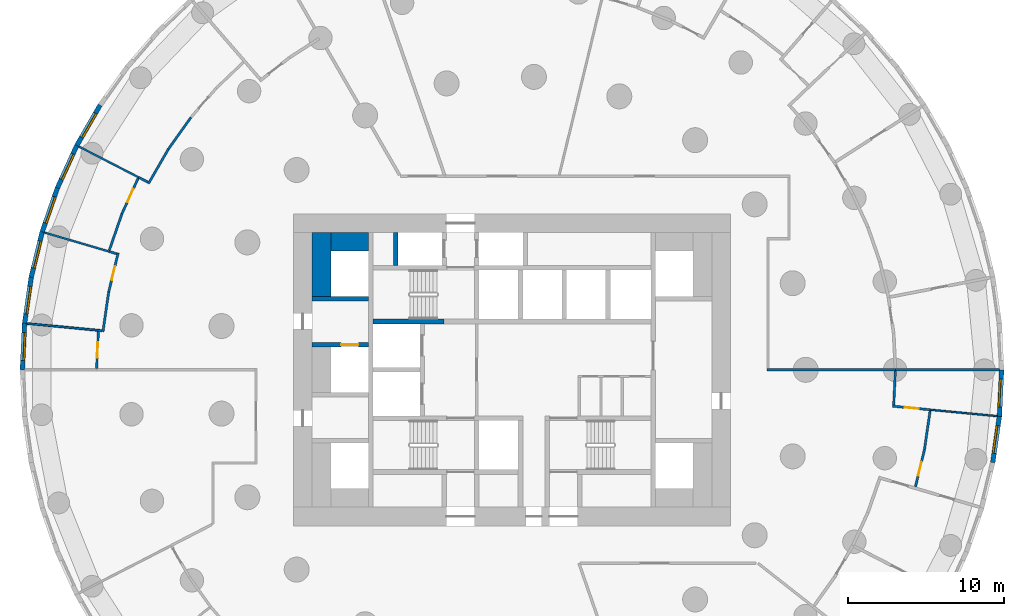
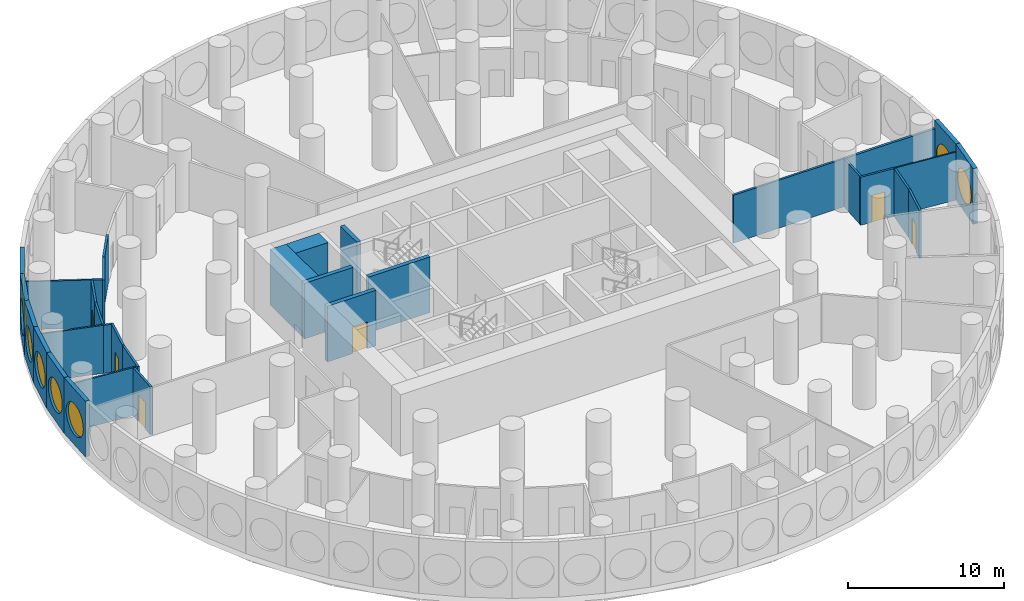
# One storey, part 6 of 12: 33 walls, 8 windows, 6 doors, 14 openings.
"""IFC4 building model written with IfcOpenShell, lengths in metres."""

from ifc_helpers import new_model, si_unit, direction, frame, frame_2d, origin, origin_2d, place, context, subcontext, project, spatial, rectangle, circle, extrude, material, layer, layer_set, type_object, element, fill, save


model = new_model("IFC4")

# Units and contexts
model_context = context("Model", 3, precision=1e-05, world=origin(), true_north=direction((0.0, 1.0)))
body_context = subcontext(model_context, "Body", "Model", "MODEL_VIEW")
ifc_project = project(units=[si_unit("LENGTHUNIT", "METRE"), si_unit("AREAUNIT", "SQUARE_METRE"), si_unit("VOLUMEUNIT", "CUBIC_METRE"), si_unit("PLANEANGLEUNIT", "RADIAN"), si_unit("MASSUNIT", "GRAM", prefix="KILO")], contexts=[model_context])

# Site, building, storey
site_placement = place(None, origin())
site = spatial("IfcSite", under=ifc_project, at=site_placement, CompositionType="ELEMENT")
building_placement = place(site_placement, origin())
building = spatial("IfcBuilding", under=site, at=building_placement, Name="Tracery Tower", CompositionType="ELEMENT")
storey_placement = place(building_placement, frame((0.0, 0.0, 13.800048828125)))
storey = spatial("IfcBuildingStorey", under=building, at=storey_placement, Name="L02", CompositionType="ELEMENT", Elevation=13.800048828125)

# Walls
ifc_material_1 = material(Name="Plasterboard on steel studs", Category="steel")
ifc_layer_1 = layer(ifc_material_1, 0.175048828125)
ifc_layer_set_1 = layer_set([ifc_layer_1], Name="Compartment partition 175")
wall_type_1 = type_object("IfcWallType", Name="Compartment partition 175", PredefinedType="PARTITIONING", material=ifc_layer_set_1)
wall_1_placement = place(storey_placement, frame((31.224365234375, 0.0, 0.0), z_axis=(0.0, 0.0, 1.0), x_axis=(-1.0, 0.0, 0.0)))
element("IfcWall", 1, at=wall_1_placement, inside=storey, type_object=wall_type_1, Name="Compartment partition 175", PredefinedType="PARTITIONING", context=body_context, shape_type="SweptSolid", body=[
    extrude(rectangle(XDim=6.65771484375, YDim=0.175048828125, at=frame_2d((3.328857421875, 0.0))), origin(), (0.0, 0.0, 1.0), 3.75),
])
ifc_material_2 = material(Name="Concrete C60/75", Category="concrete")
ifc_layer_2 = layer(ifc_material_2, 1.199951171875)
ifc_layer_set_2 = layer_set([ifc_layer_2], Name="Core strip wall 1200 C60")
wall_type_2 = type_object("IfcWallType", Name="Core strip wall 1200 C60", PredefinedType="SOLIDWALL", material=ifc_layer_set_2)
wall_2_placement = place(storey_placement, frame((-12.199951171875, 4.699951171875, 0.0), z_axis=(0.0, 0.0, 1.0), x_axis=(0.0, 1.0, 0.0)))
element("IfcWall", 2, at=wall_2_placement, inside=storey, type_object=wall_type_2, Name="L02 wing strip -1 4.55", PredefinedType="SOLIDWALL", context=body_context, shape_type="SweptSolid", body=[
    extrude(rectangle(XDim=4.10009765625, YDim=1.199951171875, at=frame_2d((2.050048828125, 0.0))), origin(), (0.0, 0.0, 1.0), 4.349853515625),
])
wall_3_placement = place(storey_placement, frame((-11.60009765625, 8.199951171875, 0.0), z_axis=(0.0, 0.0, 1.0), x_axis=(1.0, 0.0, 0.0)))
element("IfcWall", 3, at=wall_3_placement, inside=storey, type_object=wall_type_2, Name="L02 wing corner -1 +8.2", PredefinedType="SOLIDWALL", context=body_context, shape_type="SweptSolid", body=[
    extrude(rectangle(XDim=2.400146484375, YDim=1.199951171875, at=frame_2d((1.2001953125, 0.0))), origin(), (0.0, 0.0, 1.0), 4.349853515625),
])

# Wall, opening, door
ifc_material_3 = material(Name="Plasterboard on steel studs", Category="steel")
ifc_layer_3 = layer(ifc_material_3, 0.14990234375)
ifc_layer_set_3 = layer_set([ifc_layer_3], Name="Corridor partition 150")
wall_type_3 = type_object("IfcWallType", Name="Corridor partition 150", PredefinedType="PARTITIONING", material=ifc_layer_set_3)
wall_4_placement = place(storey_placement, frame((-26.615478515625, 0.074951171875, 0.0), z_axis=(0.0, 0.0, 1.0), x_axis=(0.047526384729, 0.998869982908, 0.0)))
wall_4 = element("IfcWall", 4, at=wall_4_placement, inside=storey, type_object=wall_type_3, Name="Corridor partition 150", PredefinedType="PARTITIONING", context=body_context, shape_type="SweptSolid", body=[
    extrude(rectangle(XDim=2.393798828125, YDim=0.14990234375, at=frame_2d((1.19677734375, 0.0))), origin(), (0.0, 0.0, 1.0), 3.75),
])
opening_1_placement = place(wall_4_placement, frame((0.69140625, 0.0, 0.0)))
opening_1 = element("IfcOpeningElement", 5, at=opening_1_placement, cuts=wall_4, Name="Opening SB-L02-20", PredefinedType="OPENING", context=body_context, shape_type="SweptSolid", body=[
    extrude(rectangle(XDim=1.0, YDim=2.10009765625, at=frame_2d((0.5, 1.050048828125))), frame((0.0, 0.074951171875, 0.0), z_axis=(0.0, -1.0, 0.0), x_axis=(1.0, 0.0, 0.0)), (0.0, 0.0, 1.0), 0.14990234375),
])
ifc_material_4 = material(Name="Timber door leaf", Category="wood")
door_type_1 = type_object("IfcDoorType", Name="Accessible toilet door 1000", OperationType="NOTDEFINED", PredefinedType="DOOR", material=ifc_material_4)
door_1_placement = place(opening_1_placement, origin())
door_1 = element("IfcDoor", 6, at=door_1_placement, inside=storey, type_object=door_type_1, Name="Accessible toilet door 1000", OperationType="SINGLE_SWING_RIGHT", OverallHeight=2.10009765625, OverallWidth=1.0, PredefinedType="DOOR", context=body_context, shape_type="SweptSolid", body=[
    extrude(rectangle(XDim=1.0, YDim=2.10009765625, at=frame_2d((0.5, 1.050048828125))), frame((0.0, 0.02490234375, 0.0), z_axis=(0.0, -1.0, 0.0), x_axis=(1.0, 0.0, 0.0)), (0.0, 0.0, 1.0), 0.050048828125),
])
fill(opening_1, door_1)

# Walls
wall_5_placement = place(storey_placement, frame((-25.843017578125, 4.980712890625, 0.0), z_axis=(0.0, 0.0, 1.0), x_axis=(-0.142380000947, -0.989812070714, 0.0)))
element("IfcWall", 7, at=wall_5_placement, inside=storey, type_object=wall_type_3, Name="Corridor partition 150", PredefinedType="PARTITIONING", context=body_context, shape_type="SweptSolid", body=[
    extrude(rectangle(XDim=2.56689453125, YDim=0.14990234375, at=frame_2d((1.283447265625, 0.0))), origin(), (0.0, 0.0, 1.0), 3.75),
])
wall_6_placement = place(storey_placement, frame((-25.8291015625, 7.583984375, 0.0), z_axis=(0.0, 0.0, 1.0), x_axis=(0.959446805351, -0.281889743876, 0.0)))
element("IfcWall", 8, at=wall_6_placement, inside=storey, type_object=wall_type_3, Name="Corridor partition 150", PredefinedType="PARTITIONING", context=body_context, shape_type="SweptSolid", body=[
    extrude(rectangle(XDim=0.525634765625, YDim=0.14990234375, at=frame_2d((0.2626953125, 0.0))), origin(), (0.0, 0.0, 1.0), 3.75),
])

# Wall, opening, door
wall_7_placement = place(storey_placement, frame((-25.843017578125, 4.980712890625, 0.0), z_axis=(0.0, 0.0, 1.0), x_axis=(0.235738160544, 0.97181660804, 0.0)))
wall_7 = element("IfcWall", 9, at=wall_7_placement, inside=storey, type_object=wall_type_3, Name="Corridor partition 150", PredefinedType="PARTITIONING", context=body_context, shape_type="SweptSolid", body=[
    extrude(rectangle(XDim=2.579833984375, YDim=0.14990234375, at=frame_2d((1.2900390625, 0.0))), origin(), (0.0, 0.0, 1.0), 3.75),
])
opening_2_placement = place(wall_7_placement, frame((0.80224609375, 0.0, 0.0)))
opening_2 = element("IfcOpeningElement", 10, at=opening_2_placement, cuts=wall_7, Name="Opening SB-L02-19", PredefinedType="OPENING", context=body_context, shape_type="SweptSolid", body=[
    extrude(rectangle(XDim=0.89990234375, YDim=2.10009765625, at=frame_2d((0.449951171875, 1.050048828125))), frame((0.0, 0.074951171875, 0.0), z_axis=(0.0, -1.0, 0.0), x_axis=(1.0, 0.0, 0.0)), (0.0, 0.0, 1.0), 0.14990234375),
])
ifc_material_5 = material(Name="Timber door leaf", Category="wood")
door_type_2 = type_object("IfcDoorType", Name="Toilet door 900", OperationType="NOTDEFINED", PredefinedType="DOOR", material=ifc_material_5)
door_2_placement = place(opening_2_placement, origin())
door_2 = element("IfcDoor", 11, at=door_2_placement, inside=storey, type_object=door_type_2, Name="Toilet door 900", OperationType="SINGLE_SWING_RIGHT", OverallHeight=2.10009765625, OverallWidth=0.89990234375, PredefinedType="DOOR", context=body_context, shape_type="SweptSolid", body=[
    extrude(rectangle(XDim=0.89990234375, YDim=2.10009765625, at=frame_2d((0.449951171875, 1.050048828125))), frame((0.0, 0.02490234375, 0.0), z_axis=(0.0, -1.0, 0.0), x_axis=(1.0, 0.0, 0.0)), (0.0, 0.0, 1.0), 0.050048828125),
])
fill(opening_2, door_2)

# Wall
wall_8_placement = place(storey_placement, frame((-24.9912109375, 10.0048828125, 0.0), z_axis=(0.0, 0.0, 1.0), x_axis=(-0.327046491478, -0.945008249917, 0.0)))
element("IfcWall", 12, at=wall_8_placement, inside=storey, type_object=wall_type_3, Name="Corridor partition 150", PredefinedType="PARTITIONING", context=body_context, shape_type="SweptSolid", body=[
    extrude(rectangle(XDim=2.486572265625, YDim=0.14990234375, at=frame_2d((1.2431640625, 0.0))), origin(), (0.0, 0.0, 1.0), 3.75),
])

# Wall, opening, door
wall_9_placement = place(storey_placement, frame((-24.9912109375, 10.0048828125, 0.0), z_axis=(0.0, 0.0, 1.0), x_axis=(0.415481321012, 0.90960171058, 0.0)))
wall_9 = element("IfcWall", 13, at=wall_9_placement, inside=storey, type_object=wall_type_3, Name="Corridor partition 150", PredefinedType="PARTITIONING", context=body_context, shape_type="SweptSolid", body=[
    extrude(rectangle(XDim=2.48681640625, YDim=0.14990234375, at=frame_2d((1.243408203125, 0.0))), origin(), (0.0, 0.0, 1.0), 3.75),
])
opening_3_placement = place(wall_9_placement, frame((0.830810546875, 0.0, 0.0)))
opening_3 = element("IfcOpeningElement", 14, at=opening_3_placement, cuts=wall_9, Name="Opening SB-L02-18", PredefinedType="OPENING", context=body_context, shape_type="SweptSolid", body=[
    extrude(rectangle(XDim=0.89990234375, YDim=2.10009765625, at=frame_2d((0.449951171875, 1.050048828125))), frame((0.0, 0.074951171875, 0.0), z_axis=(0.0, -1.0, 0.0), x_axis=(1.0, 0.0, 0.0)), (0.0, 0.0, 1.0), 0.14990234375),
])
door_3_placement = place(opening_3_placement, origin())
door_3 = element("IfcDoor", 15, at=door_3_placement, inside=storey, type_object=door_type_2, Name="Toilet door 900", OperationType="SINGLE_SWING_RIGHT", OverallHeight=2.10009765625, OverallWidth=0.89990234375, PredefinedType="DOOR", context=body_context, shape_type="SweptSolid", body=[
    extrude(rectangle(XDim=0.89990234375, YDim=2.10009765625, at=frame_2d((0.449951171875, 1.050048828125))), frame((0.0, 0.02490234375, 0.0), z_axis=(0.0, -1.0, 0.0), x_axis=(1.0, 0.0, 0.0)), (0.0, 0.0, 1.0), 0.050048828125),
])
fill(opening_3, door_3)

# Walls
wall_10_placement = place(storey_placement, frame((-23.927001953125, 12.335205078125, 0.0), z_axis=(0.0, 0.0, 1.0), x_axis=(0.888796271629, -0.458302506581, 0.0)))
element("IfcWall", 16, at=wall_10_placement, inside=storey, type_object=wall_type_3, Name="Corridor partition 150", PredefinedType="PARTITIONING", context=body_context, shape_type="SweptSolid", body=[
    extrude(rectangle(XDim=0.676025390625, YDim=0.14990234375, at=frame_2d((0.337890625, 0.0))), origin(), (0.0, 0.0, 1.0), 3.75),
])
wall_11_placement = place(storey_placement, frame((-22.014404296875, 14.147705078125, 0.0), z_axis=(0.0, 0.0, 1.0), x_axis=(-0.500008033299, -0.866020765707, 0.0)))
element("IfcWall", 17, at=wall_11_placement, inside=storey, type_object=wall_type_3, Name="Corridor partition 150", PredefinedType="PARTITIONING", context=body_context, shape_type="SweptSolid", body=[
    extrude(rectangle(XDim=2.5654296875, YDim=0.14990234375, at=frame_2d((1.28271484375, 0.0))), origin(), (0.0, 0.0, 1.0), 3.75),
])
wall_12_placement = place(storey_placement, frame((-20.56982421875, 16.17626953125, 0.0), z_axis=(0.0, 0.0, 1.0), x_axis=(-0.580069131262, -0.814567248886, 0.0)))
element("IfcWall", 18, at=wall_12_placement, inside=storey, type_object=wall_type_3, Name="Corridor partition 150", PredefinedType="PARTITIONING", context=body_context, shape_type="SweptSolid", body=[
    extrude(rectangle(XDim=2.490478515625, YDim=0.14990234375, at=frame_2d((1.2451171875, 0.0))), origin(), (0.0, 0.0, 1.0), 3.75),
])
wall_13_placement = place(storey_placement, frame((24.458984375, -2.26025390625, 0.0), z_axis=(0.0, 0.0, 1.0), x_axis=(0.047586478613, 0.99886712182, 0.0)))
element("IfcWall", 19, at=wall_13_placement, inside=storey, type_object=wall_type_3, Name="Corridor partition 150", PredefinedType="PARTITIONING", context=body_context, shape_type="SweptSolid", body=[
    extrude(rectangle(XDim=2.17529296875, YDim=0.14990234375, at=frame_2d((1.087646484375, 0.0))), origin(), (0.0, 0.0, 1.0), 3.75),
])
wall_14_placement = place(storey_placement, frame((24.566650390625, 0.0, 0.0), z_axis=(0.0, 0.0, 1.0), x_axis=(-1.0, 0.0, 0.0)))
element("IfcWall", 20, at=wall_14_placement, inside=storey, type_object=wall_type_3, Name="Corridor partition 150", PredefinedType="PARTITIONING", context=body_context, shape_type="SweptSolid", body=[
    extrude(rectangle(XDim=8.24169921875, YDim=0.14990234375, at=frame_2d((4.120849609375, 0.0))), origin(), (0.0, 0.0, 1.0), 3.75),
])

# Wall, opening, door
wall_15_placement = place(storey_placement, frame((26.432861328125, -5.094482421875, 0.0), z_axis=(0.0, 0.0, 1.0), x_axis=(-0.235698938428, -0.971826121497, 0.0)))
wall_15 = element("IfcWall", 21, at=wall_15_placement, inside=storey, type_object=wall_type_3, Name="Corridor partition 150", PredefinedType="PARTITIONING", context=body_context, shape_type="SweptSolid", body=[
    extrude(rectangle(XDim=2.472412109375, YDim=0.14990234375, at=frame_2d((1.236328125, 0.0))), origin(), (0.0, 0.0, 1.0), 3.75),
])
opening_4_placement = place(wall_15_placement, frame((0.830810546875, 0.0, 0.0)))
opening_4 = element("IfcOpeningElement", 22, at=opening_4_placement, cuts=wall_15, Name="Opening SB-L02-33", PredefinedType="OPENING", context=body_context, shape_type="SweptSolid", body=[
    extrude(rectangle(XDim=0.89990234375, YDim=2.10009765625, at=frame_2d((0.449951171875, 1.050048828125))), frame((0.0, 0.074951171875, 0.0), z_axis=(0.0, -1.0, 0.0), x_axis=(1.0, 0.0, 0.0)), (0.0, 0.0, 1.0), 0.14990234375),
])
ifc_material_6 = material(Name="Steel fire door", Category="steel")
door_type_3 = type_object("IfcDoorType", Name="Store door 900", OperationType="NOTDEFINED", PredefinedType="DOOR", material=ifc_material_6)
door_4_placement = place(opening_4_placement, origin())
door_4 = element("IfcDoor", 23, at=door_4_placement, inside=storey, type_object=door_type_3, Name="Store door 900", OperationType="SINGLE_SWING_RIGHT", OverallHeight=2.10009765625, OverallWidth=0.89990234375, PredefinedType="DOOR", context=body_context, shape_type="SweptSolid", body=[
    extrude(rectangle(XDim=0.89990234375, YDim=2.10009765625, at=frame_2d((0.449951171875, 1.050048828125))), frame((0.0, 0.02490234375, 0.0), z_axis=(0.0, -1.0, 0.0), x_axis=(1.0, 0.0, 0.0)), (0.0, 0.0, 1.0), 0.050048828125),
])
fill(opening_4, door_4)

# Wall
wall_16_placement = place(storey_placement, frame((26.432861328125, -5.094482421875, 0.0), z_axis=(0.0, 0.0, 1.0), x_axis=(0.142369768544, 0.989813542545, 0.0)))
element("IfcWall", 24, at=wall_16_placement, inside=storey, type_object=wall_type_3, Name="Corridor partition 150", PredefinedType="PARTITIONING", context=body_context, shape_type="SweptSolid", body=[
    extrude(rectangle(XDim=2.486572265625, YDim=0.14990234375, at=frame_2d((1.2431640625, 0.0))), origin(), (0.0, 0.0, 1.0), 3.75),
])

# Wall, opening, door
wall_17_placement = place(storey_placement, frame((24.380859375, -2.328125, 0.0), z_axis=(0.0, 0.0, 1.0), x_axis=(0.995474205062, -0.095032136962, 0.0)))
wall_17 = element("IfcWall", 25, at=wall_17_placement, inside=storey, type_object=wall_type_3, Name="Corridor partition 150", PredefinedType="PARTITIONING", context=body_context, shape_type="SweptSolid", body=[
    extrude(rectangle(XDim=2.427734375, YDim=0.14990234375, at=frame_2d((1.2138671875, 0.0))), origin(), (0.0, 0.0, 1.0), 3.75),
])
opening_5_placement = place(wall_17_placement, frame((0.801513671875, 0.0, 0.0)))
opening_5 = element("IfcOpeningElement", 26, at=opening_5_placement, cuts=wall_17, Name="Opening SB-L02-34", PredefinedType="OPENING", context=body_context, shape_type="SweptSolid", body=[
    extrude(rectangle(XDim=0.89990234375, YDim=2.10009765625, at=frame_2d((0.449951171875, 1.050048828125))), frame((0.0, 0.074951171875, 0.0), z_axis=(0.0, -1.0, 0.0), x_axis=(1.0, 0.0, 0.0)), (0.0, 0.0, 1.0), 0.14990234375),
])
ifc_material_7 = material(Name="Timber door leaf", Category="wood")
door_type_4 = type_object("IfcDoorType", Name="Room door 900", OperationType="NOTDEFINED", PredefinedType="DOOR", material=ifc_material_7)
door_5_placement = place(opening_5_placement, origin())
door_5 = element("IfcDoor", 27, at=door_5_placement, inside=storey, type_object=door_type_4, Name="Room door 900", OperationType="SINGLE_SWING_RIGHT", OverallHeight=2.10009765625, OverallWidth=0.89990234375, PredefinedType="DOOR", context=body_context, shape_type="SweptSolid", body=[
    extrude(rectangle(XDim=0.89990234375, YDim=2.10009765625, at=frame_2d((0.449951171875, 1.050048828125))), frame((0.0, 0.02490234375, 0.0), z_axis=(0.0, -1.0, 0.0), x_axis=(1.0, 0.0, 0.0)), (0.0, 0.0, 1.0), 0.050048828125),
])
fill(opening_5, door_5)

# Wall, opening, window
ifc_material_8 = material(Name="Precast concrete C50/60", Category="concrete")
ifc_layer_4 = layer(ifc_material_8, 0.300048828125)
ifc_layer_set_4 = layer_set([ifc_layer_4], Name="Facade panel 3000 x 4350")
wall_type_4 = type_object("IfcWallType", Name="Facade panel 3000 x 4350", PredefinedType="SOLIDWALL", material=ifc_layer_set_4)
wall_18_placement = place(storey_placement, frame((-26.393798828125, 16.96240234375, 0.0), z_axis=(0.0, 0.0, 1.0), x_axis=(-0.500017373705, -0.866015372839, 0.0)))
wall_18 = element("IfcWall", 28, at=wall_18_placement, inside=storey, type_object=wall_type_4, Name="Facade panel 28 at L02", PredefinedType="SOLIDWALL", context=body_context, shape_type="SweptSolid", body=[
    extrude(rectangle(XDim=2.98583984375, YDim=0.300048828125, at=frame_2d((1.492919921875, 0.0))), origin(), (0.0, 0.0, 1.0), 4.349853515625),
])
opening_6_placement = place(wall_18_placement, frame((1.492919921875, 0.0, 2.0)))
opening_6 = element("IfcOpeningElement", 29, at=opening_6_placement, cuts=wall_18, Name="Opening WN2", PredefinedType="OPENING", context=body_context, shape_type="SweptSolid", body=[
    extrude(circle(Radius=1.199951171875, at=origin_2d()), frame((0.0, 0.159912109375, 0.0), z_axis=(0.0, -1.0, 0.0), x_axis=(1.0, 0.0, 0.0)), (0.0, 0.0, 1.0), 0.320068359375),
])
ifc_material_9 = material(Name="Aluminium frame with tinted double glazing", Category="aluminium")
window_type = type_object("IfcWindowType", Name="Round window 2400", PartitioningType="SINGLE_PANEL", PredefinedType="WINDOW", material=ifc_material_9)
window_1_placement = place(opening_6_placement, origin())
window_1 = element("IfcWindow", 30, at=window_1_placement, inside=storey, type_object=window_type, Name="Round window 28 at L02", OverallHeight=2.39990234375, OverallWidth=2.39990234375, PartitioningType="SINGLE_PANEL", PredefinedType="WINDOW", context=body_context, shape_type="SweptSolid", body=[
    extrude(circle(Radius=1.199951171875, at=origin_2d()), frame((0.0, 0.1201171875, 0.0), z_axis=(0.0, -1.0, 0.0), x_axis=(1.0, 0.0, 0.0)), (0.0, 0.0, 1.0), 0.10009765625),
])
fill(opening_6, window_1)

wall_19_placement = place(storey_placement, frame((-27.88671875, 14.376708984375, 0.0), z_axis=(0.0, 0.0, 1.0), x_axis=(-0.415373250944, -0.909651066289, 0.0)))
wall_19 = element("IfcWall", 31, at=wall_19_placement, inside=storey, type_object=wall_type_4, Name="Facade panel 29 at L02", PredefinedType="SOLIDWALL", context=body_context, shape_type="SweptSolid", body=[
    extrude(rectangle(XDim=2.98583984375, YDim=0.300048828125, at=frame_2d((1.492919921875, 0.0))), origin(), (0.0, 0.0, 1.0), 4.349853515625),
])
opening_7_placement = place(wall_19_placement, frame((1.492919921875, 0.0, 2.0)))
opening_7 = element("IfcOpeningElement", 32, at=opening_7_placement, cuts=wall_19, Name="Opening WN2", PredefinedType="OPENING", context=body_context, shape_type="SweptSolid", body=[
    extrude(circle(Radius=1.199951171875, at=origin_2d()), frame((0.0, 0.159912109375, 0.0), z_axis=(0.0, -1.0, 0.0), x_axis=(1.0, 0.0, 0.0)), (0.0, 0.0, 1.0), 0.320068359375),
])
window_2_placement = place(opening_7_placement, origin())
window_2 = element("IfcWindow", 33, at=window_2_placement, inside=storey, type_object=window_type, Name="Round window 29 at L02", OverallHeight=2.39990234375, OverallWidth=2.39990234375, PartitioningType="SINGLE_PANEL", PredefinedType="WINDOW", context=body_context, shape_type="SweptSolid", body=[
    extrude(circle(Radius=1.199951171875, at=origin_2d()), frame((0.0, 0.1201171875, 0.0), z_axis=(0.0, -1.0, 0.0), x_axis=(1.0, 0.0, 0.0)), (0.0, 0.0, 1.0), 0.10009765625),
])
fill(opening_7, window_2)

wall_20_placement = place(storey_placement, frame((-29.126953125, 11.66064453125, 0.0), z_axis=(0.0, 0.0, 1.0), x_axis=(-0.327074054052, -0.944998710669, 0.0)))
wall_20 = element("IfcWall", 34, at=wall_20_placement, inside=storey, type_object=wall_type_4, Name="Facade panel 30 at L02", PredefinedType="SOLIDWALL", context=body_context, shape_type="SweptSolid", body=[
    extrude(rectangle(XDim=2.98583984375, YDim=0.300048828125, at=frame_2d((1.492919921875, 0.0))), origin(), (0.0, 0.0, 1.0), 4.349853515625),
])
opening_8_placement = place(wall_20_placement, frame((1.492919921875, 0.0, 2.0)))
opening_8 = element("IfcOpeningElement", 35, at=opening_8_placement, cuts=wall_20, Name="Opening WN2", PredefinedType="OPENING", context=body_context, shape_type="SweptSolid", body=[
    extrude(circle(Radius=1.199951171875, at=origin_2d()), frame((0.0, 0.159912109375, 0.0), z_axis=(0.0, -1.0, 0.0), x_axis=(1.0, 0.0, 0.0)), (0.0, 0.0, 1.0), 0.320068359375),
])
window_3_placement = place(opening_8_placement, origin())
window_3 = element("IfcWindow", 36, at=window_3_placement, inside=storey, type_object=window_type, Name="Round window 30 at L02", OverallHeight=2.39990234375, OverallWidth=2.39990234375, PartitioningType="SINGLE_PANEL", PredefinedType="WINDOW", context=body_context, shape_type="SweptSolid", body=[
    extrude(circle(Radius=1.199951171875, at=origin_2d()), frame((0.0, 0.1201171875, 0.0), z_axis=(0.0, -1.0, 0.0), x_axis=(1.0, 0.0, 0.0)), (0.0, 0.0, 1.0), 0.10009765625),
])
fill(opening_8, window_3)

wall_21_placement = place(storey_placement, frame((-30.103515625, 8.839111328125, 0.0), z_axis=(0.0, 0.0, 1.0), x_axis=(-0.235756834479, -0.971812078026, 0.0)))
wall_21 = element("IfcWall", 37, at=wall_21_placement, inside=storey, type_object=wall_type_4, Name="Facade panel 31 at L02", PredefinedType="SOLIDWALL", context=body_context, shape_type="SweptSolid", body=[
    extrude(rectangle(XDim=2.985595703125, YDim=0.300048828125, at=frame_2d((1.49267578125, 0.0))), origin(), (0.0, 0.0, 1.0), 4.349853515625),
])
opening_9_placement = place(wall_21_placement, frame((1.492919921875, 0.0, 2.0)))
opening_9 = element("IfcOpeningElement", 38, at=opening_9_placement, cuts=wall_21, Name="Opening WN2", PredefinedType="OPENING", context=body_context, shape_type="SweptSolid", body=[
    extrude(circle(Radius=1.199951171875, at=origin_2d()), frame((0.0, 0.159912109375, 0.0), z_axis=(0.0, -1.0, 0.0), x_axis=(1.0, 0.0, 0.0)), (0.0, 0.0, 1.0), 0.320068359375),
])
window_4_placement = place(opening_9_placement, origin())
window_4 = element("IfcWindow", 39, at=window_4_placement, inside=storey, type_object=window_type, Name="Round window 31 at L02", OverallHeight=2.39990234375, OverallWidth=2.39990234375, PartitioningType="SINGLE_PANEL", PredefinedType="WINDOW", context=body_context, shape_type="SweptSolid", body=[
    extrude(circle(Radius=1.199951171875, at=origin_2d()), frame((0.0, 0.1201171875, 0.0), z_axis=(0.0, -1.0, 0.0), x_axis=(1.0, 0.0, 0.0)), (0.0, 0.0, 1.0), 0.10009765625),
])
fill(opening_9, window_4)

wall_22_placement = place(storey_placement, frame((-30.807373046875, 5.937744140625, 0.0), z_axis=(0.0, 0.0, 1.0), x_axis=(-0.142360001917, -0.989814947278, 0.0)))
wall_22 = element("IfcWall", 40, at=wall_22_placement, inside=storey, type_object=wall_type_4, Name="Facade panel 32 at L02", PredefinedType="SOLIDWALL", context=body_context, shape_type="SweptSolid", body=[
    extrude(rectangle(XDim=2.98583984375, YDim=0.300048828125, at=frame_2d((1.492919921875, 0.0))), origin(), (0.0, 0.0, 1.0), 4.349853515625),
])
opening_10_placement = place(wall_22_placement, frame((1.492919921875, 0.0, 2.0)))
opening_10 = element("IfcOpeningElement", 41, at=opening_10_placement, cuts=wall_22, Name="Opening WN2", PredefinedType="OPENING", context=body_context, shape_type="SweptSolid", body=[
    extrude(circle(Radius=1.199951171875, at=origin_2d()), frame((0.0, 0.159912109375, 0.0), z_axis=(0.0, -1.0, 0.0), x_axis=(1.0, 0.0, 0.0)), (0.0, 0.0, 1.0), 0.320068359375),
])
window_5_placement = place(opening_10_placement, origin())
window_5 = element("IfcWindow", 42, at=window_5_placement, inside=storey, type_object=window_type, Name="Round window 32 at L02", OverallHeight=2.39990234375, OverallWidth=2.39990234375, PartitioningType="SINGLE_PANEL", PredefinedType="WINDOW", context=body_context, shape_type="SweptSolid", body=[
    extrude(circle(Radius=1.199951171875, at=origin_2d()), frame((0.0, 0.1201171875, 0.0), z_axis=(0.0, -1.0, 0.0), x_axis=(1.0, 0.0, 0.0)), (0.0, 0.0, 1.0), 0.10009765625),
])
fill(opening_10, window_5)

wall_23_placement = place(storey_placement, frame((-31.232421875, 2.982421875, 0.0), z_axis=(0.0, 0.0, 1.0), x_axis=(-0.047588458579, -0.998867027492, 0.0)))
wall_23 = element("IfcWall", 43, at=wall_23_placement, inside=storey, type_object=wall_type_4, Name="Facade panel 33 at L02", PredefinedType="SOLIDWALL", context=body_context, shape_type="SweptSolid", body=[
    extrude(rectangle(XDim=2.98583984375, YDim=0.300048828125, at=frame_2d((1.492919921875, 0.0))), origin(), (0.0, 0.0, 1.0), 4.349853515625),
])
opening_11_placement = place(wall_23_placement, frame((1.492919921875, 0.0, 2.0)))
opening_11 = element("IfcOpeningElement", 44, at=opening_11_placement, cuts=wall_23, Name="Opening WN2", PredefinedType="OPENING", context=body_context, shape_type="SweptSolid", body=[
    extrude(circle(Radius=1.199951171875, at=origin_2d()), frame((0.0, 0.159912109375, 0.0), z_axis=(0.0, -1.0, 0.0), x_axis=(1.0, 0.0, 0.0)), (0.0, 0.0, 1.0), 0.320068359375),
])
window_6_placement = place(opening_11_placement, origin())
window_6 = element("IfcWindow", 45, at=window_6_placement, inside=storey, type_object=window_type, Name="Round window 33 at L02", OverallHeight=2.39990234375, OverallWidth=2.39990234375, PartitioningType="SINGLE_PANEL", PredefinedType="WINDOW", context=body_context, shape_type="SweptSolid", body=[
    extrude(circle(Radius=1.199951171875, at=origin_2d()), frame((0.0, 0.1201171875, 0.0), z_axis=(0.0, -1.0, 0.0), x_axis=(1.0, 0.0, 0.0)), (0.0, 0.0, 1.0), 0.10009765625),
])
fill(opening_11, window_6)

wall_24_placement = place(storey_placement, frame((30.807373046875, -5.937744140625, 0.0), z_axis=(0.0, 0.0, 1.0), x_axis=(0.142360001917, 0.989814947278, 0.0)))
wall_24 = element("IfcWall", 46, at=wall_24_placement, inside=storey, type_object=wall_type_4, Name="Facade panel 65 at L02", PredefinedType="SOLIDWALL", context=body_context, shape_type="SweptSolid", body=[
    extrude(rectangle(XDim=2.98583984375, YDim=0.300048828125, at=frame_2d((1.492919921875, 0.0))), origin(), (0.0, 0.0, 1.0), 4.349853515625),
])
opening_12_placement = place(wall_24_placement, frame((1.492919921875, 0.0, 2.0)))
opening_12 = element("IfcOpeningElement", 47, at=opening_12_placement, cuts=wall_24, Name="Opening WN2", PredefinedType="OPENING", context=body_context, shape_type="SweptSolid", body=[
    extrude(circle(Radius=1.199951171875, at=origin_2d()), frame((0.0, 0.159912109375, 0.0), z_axis=(0.0, -1.0, 0.0), x_axis=(1.0, 0.0, 0.0)), (0.0, 0.0, 1.0), 0.320068359375),
])
window_7_placement = place(opening_12_placement, origin())
window_7 = element("IfcWindow", 48, at=window_7_placement, inside=storey, type_object=window_type, Name="Round window 65 at L02", OverallHeight=2.39990234375, OverallWidth=2.39990234375, PartitioningType="SINGLE_PANEL", PredefinedType="WINDOW", context=body_context, shape_type="SweptSolid", body=[
    extrude(circle(Radius=1.199951171875, at=origin_2d()), frame((0.0, 0.1201171875, 0.0), z_axis=(0.0, -1.0, 0.0), x_axis=(1.0, 0.0, 0.0)), (0.0, 0.0, 1.0), 0.10009765625),
])
fill(opening_12, window_7)

wall_25_placement = place(storey_placement, frame((31.232421875, -2.982421875, 0.0), z_axis=(0.0, 0.0, 1.0), x_axis=(0.047588458579, 0.998867027492, 0.0)))
wall_25 = element("IfcWall", 49, at=wall_25_placement, inside=storey, type_object=wall_type_4, Name="Facade panel 66 at L02", PredefinedType="SOLIDWALL", context=body_context, shape_type="SweptSolid", body=[
    extrude(rectangle(XDim=2.98583984375, YDim=0.300048828125, at=frame_2d((1.492919921875, 0.0))), origin(), (0.0, 0.0, 1.0), 4.349853515625),
])
opening_13_placement = place(wall_25_placement, frame((1.492919921875, 0.0, 2.0)))
opening_13 = element("IfcOpeningElement", 50, at=opening_13_placement, cuts=wall_25, Name="Opening WN2", PredefinedType="OPENING", context=body_context, shape_type="SweptSolid", body=[
    extrude(circle(Radius=1.199951171875, at=origin_2d()), frame((0.0, 0.159912109375, 0.0), z_axis=(0.0, -1.0, 0.0), x_axis=(1.0, 0.0, 0.0)), (0.0, 0.0, 1.0), 0.320068359375),
])
window_8_placement = place(opening_13_placement, origin())
window_8 = element("IfcWindow", 51, at=window_8_placement, inside=storey, type_object=window_type, Name="Round window 66 at L02", OverallHeight=2.39990234375, OverallWidth=2.39990234375, PartitioningType="SINGLE_PANEL", PredefinedType="WINDOW", context=body_context, shape_type="SweptSolid", body=[
    extrude(circle(Radius=1.199951171875, at=origin_2d()), frame((0.0, 0.1201171875, 0.0), z_axis=(0.0, -1.0, 0.0), x_axis=(1.0, 0.0, 0.0)), (0.0, 0.0, 1.0), 0.10009765625),
])
fill(opening_13, window_8)

# Walls
ifc_material_10 = material(Name="Concrete C60/75", Category="concrete")
ifc_layer_5 = layer(ifc_material_10, 0.300048828125)
ifc_layer_set_5 = layer_set([ifc_layer_5], Name="Shaft wall 300 C60")
wall_type_5 = type_object("IfcWallType", Name="Shaft wall 300 C60", PredefinedType="SOLIDWALL", material=ifc_layer_set_5)
wall_26_placement = place(storey_placement, frame((-7.449951171875, 6.699951171875, 0.0), z_axis=(0.0, 0.0, 1.0), x_axis=(0.0, 1.0, 0.0)))
element("IfcWall", 52, at=wall_26_placement, inside=storey, type_object=wall_type_5, Name="L02 LR sep -7.45", PredefinedType="SOLIDWALL", context=body_context, shape_type="SweptSolid", body=[
    extrude(rectangle(XDim=2.10009765625, YDim=0.300048828125, at=frame_2d((1.050048828125, 0.0))), origin(), (0.0, 0.0, 1.0), 4.349853515625),
])
wall_27_placement = place(storey_placement, frame((-12.800048828125, 4.550048828125, 0.0), z_axis=(0.0, 0.0, 1.0), x_axis=(1.0, 0.0, 0.0)))
element("IfcWall", 53, at=wall_27_placement, inside=storey, type_object=wall_type_5, Name="L02 wing shaft wall -1 +4.55", PredefinedType="SOLIDWALL", context=body_context, shape_type="SweptSolid", body=[
    extrude(rectangle(XDim=3.60009765625, YDim=0.300048828125, at=frame_2d((1.800048828125, 0.0))), origin(), (0.0, 0.0, 1.0), 4.349853515625),
])

# Wall, opening, door
wall_28_placement = place(storey_placement, frame((-12.800048828125, 1.60009765625, 0.0), z_axis=(0.0, 0.0, 1.0), x_axis=(1.0, 0.0, 0.0)))
wall_28 = element("IfcWall", 54, at=wall_28_placement, inside=storey, type_object=wall_type_5, Name="L02 wing shaft wall -1 +1.60", PredefinedType="SOLIDWALL", context=body_context, shape_type="SweptSolid", body=[
    extrude(rectangle(XDim=3.60009765625, YDim=0.300048828125, at=frame_2d((1.800048828125, 0.0))), origin(), (0.0, 0.0, 1.0), 4.349853515625),
])
opening_14_placement = place(wall_28_placement, frame((1.85009765625, 0.0, 0.0)))
opening_14 = element("IfcOpeningElement", 55, at=opening_14_placement, cuts=wall_28, Name="Opening KD50", PredefinedType="OPENING", context=body_context, shape_type="SweptSolid", body=[
    extrude(rectangle(XDim=1.10009765625, YDim=2.10009765625, at=frame_2d((0.550048828125, 1.050048828125))), frame((0.0, 0.14990234375, 0.0), z_axis=(0.0, -1.0, 0.0), x_axis=(1.0, 0.0, 0.0)), (0.0, 0.0, 1.0), 0.300048828125),
])
ifc_material_11 = material(Name="Steel fire door", Category="steel")
door_type_5 = type_object("IfcDoorType", Name="Landing door 1100", OperationType="NOTDEFINED", PredefinedType="DOOR", material=ifc_material_11)
door_6_placement = place(opening_14_placement, origin())
door_6 = element("IfcDoor", 56, at=door_6_placement, inside=storey, type_object=door_type_5, Name="Landing door LR1", OperationType="SLIDING_TO_RIGHT", OverallHeight=2.10009765625, OverallWidth=1.10009765625, PredefinedType="DOOR", context=body_context, shape_type="SweptSolid", body=[
    extrude(rectangle(XDim=1.10009765625, YDim=2.10009765625, at=frame_2d((0.550048828125, 1.050048828125))), frame((0.0, 0.02490234375, 0.0), z_axis=(0.0, -1.0, 0.0), x_axis=(1.0, 0.0, 0.0)), (0.0, 0.0, 1.0), 0.050048828125),
])
fill(opening_14, door_6)

# Walls
ifc_material_12 = material(Name="Concrete C60/75", Category="concrete")
ifc_layer_6 = layer(ifc_material_12, 0.300048828125)
ifc_layer_set_6 = layer_set([ifc_layer_6], Name="Stair wall 300 C60")
wall_type_6 = type_object("IfcWallType", Name="Stair wall 300 C60", PredefinedType="SOLIDWALL", material=ifc_layer_set_6)
wall_29_placement = place(storey_placement, frame((-8.89990234375, 3.10009765625, 0.0), z_axis=(0.0, 0.0, 1.0), x_axis=(1.0, 0.0, 0.0)))
element("IfcWall", 57, at=wall_29_placement, inside=storey, type_object=wall_type_6, Name="L02 row N W", PredefinedType="SOLIDWALL", context=body_context, shape_type="SweptSolid", body=[
    extrude(rectangle(XDim=4.5498046875, YDim=0.300048828125, at=frame_2d((2.27490234375, 0.0))), origin(), (0.0, 0.0, 1.0), 4.349853515625),
])
ifc_material_13 = material(Name="Plasterboard on steel studs", Category="steel")
ifc_layer_7 = layer(ifc_material_13, 0.10009765625)
ifc_layer_set_7 = layer_set([ifc_layer_7], Name="Stud partition 100")
wall_type_7 = type_object("IfcWallType", Name="Stud partition 100", PredefinedType="PARTITIONING", material=ifc_layer_set_7)
wall_30_placement = place(storey_placement, frame((31.0830078125, -2.968017578125, 0.0), z_axis=(0.0, 0.0, 1.0), x_axis=(-0.995472503613, 0.095049958187, 0.0)))
element("IfcWall", 58, at=wall_30_placement, inside=storey, type_object=wall_type_7, Name="Stud partition 100", PredefinedType="PARTITIONING", context=body_context, shape_type="SweptSolid", body=[
    extrude(rectangle(XDim=4.304931640625, YDim=0.10009765625, at=frame_2d((2.15234375, 0.0))), origin(), (0.0, 0.0, 1.0), 3.75),
])
ifc_material_14 = material(Name="Plasterboard on steel studs", Category="steel")
ifc_layer_8 = layer(ifc_material_14, 0.125)
ifc_layer_set_8 = layer_set([ifc_layer_8], Name="Wet area partition 125")
wall_type_8 = type_object("IfcWallType", Name="Wet area partition 125", PredefinedType="PARTITIONING", material=ifc_layer_set_8)
wall_31_placement = place(storey_placement, frame((-31.0830078125, 2.968017578125, 0.0), z_axis=(0.0, 0.0, 1.0), x_axis=(0.995471135627, -0.095064284212, 0.0)))
element("IfcWall", 59, at=wall_31_placement, inside=storey, type_object=wall_type_8, Name="Wet area partition 125", PredefinedType="PARTITIONING", context=body_context, shape_type="SweptSolid", body=[
    extrude(rectangle(XDim=4.830810546875, YDim=0.125, at=frame_2d((2.41552734375, 0.0))), origin(), (0.0, 0.0, 1.0), 3.75),
])
for number, where, z_axis, x_axis, name in (
    (60, (-29.95947265625, 8.796875, 0.0), (0.0, 0.0, 1.0), (0.959486427162, -0.281754851054, 0.0), "Wet area partition 125"),
    (61, (-27.753173828125, 14.307861328125, 0.0), (0.0, 0.0, 1.0), (0.888823380171, -0.458249930563, 0.0), "Wet area partition 125"),
):
    element("IfcWall", number, at=place(storey_placement, frame(where, z_axis=z_axis, x_axis=x_axis)), inside=storey, type_object=wall_type_8, Name=name, PredefinedType="PARTITIONING", context=body_context, shape_type="SweptSolid", body=[
        extrude(rectangle(XDim=4.3046875, YDim=0.125, at=frame_2d((2.15234375, 0.0))), origin(), (0.0, 0.0, 1.0), 3.75),
    ])

save(model, "model.ifc")
